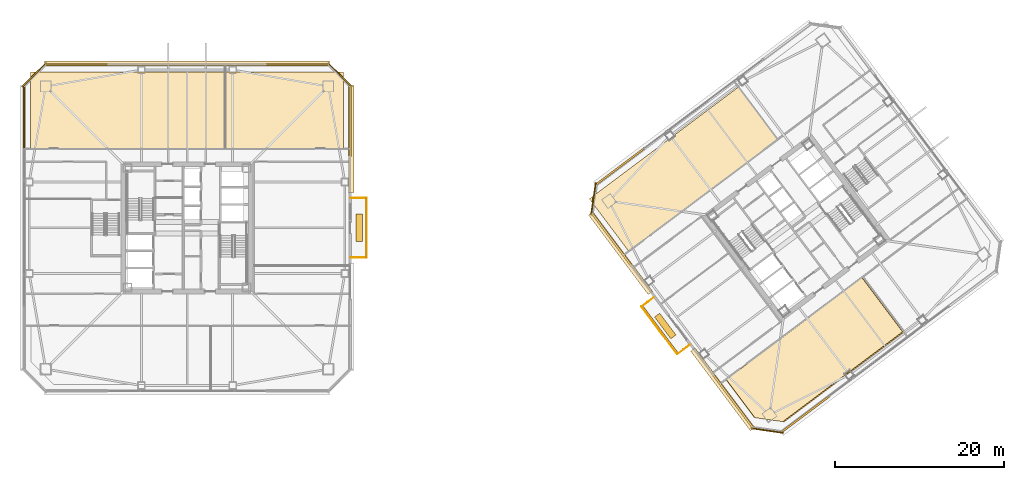
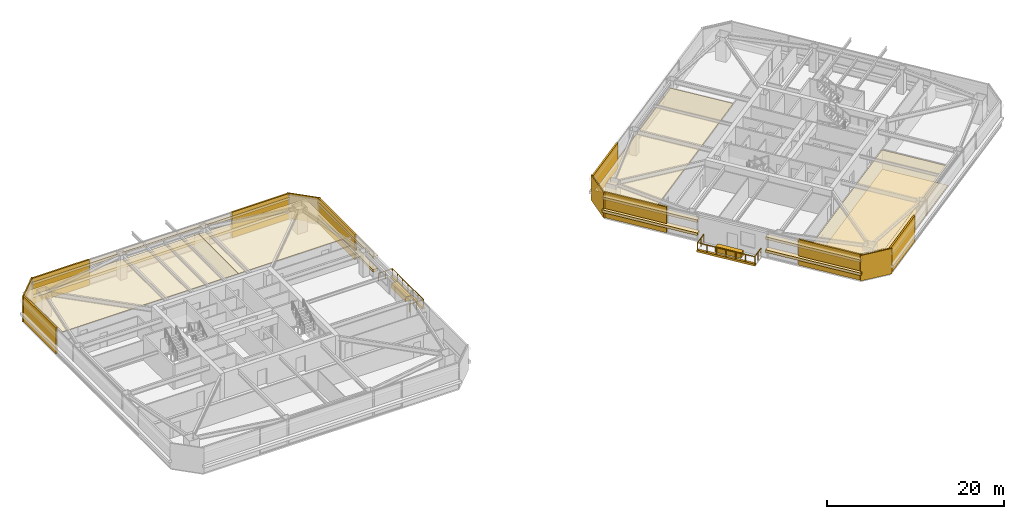
# One storey, part 37 of 40: 29 coverings, 6 railings.
"""IFC4 building model written with IfcOpenShell, lengths in metres."""

from ifc_helpers import new_model, si_unit, direction, frame, origin, origin_2d, place, context, subcontext, project, spatial, polyline, rectangle, outline, extrude, material, layer, layer_set, type_object, element, save


model = new_model("IFC4")

# Units and contexts
model_context = context("Model", 3, precision=1e-05, world=origin(), true_north=direction((0.0, 1.0)))
body_context = subcontext(model_context, "Body", "Model", "MODEL_VIEW")
ifc_project = project(units=[si_unit("LENGTHUNIT", "METRE"), si_unit("AREAUNIT", "SQUARE_METRE"), si_unit("VOLUMEUNIT", "CUBIC_METRE"), si_unit("PLANEANGLEUNIT", "RADIAN"), si_unit("MASSUNIT", "GRAM", prefix="KILO")], contexts=[model_context])

# Site, building, storey
site_placement = place(None, origin())
site = spatial("IfcSite", under=ifc_project, at=site_placement, CompositionType="ELEMENT")
building_placement = place(site_placement, origin())
building = spatial("IfcBuilding", under=site, at=building_placement, Name="Tashvorn Skyway Center", CompositionType="ELEMENT")
storey_placement = place(building_placement, frame((0.0, 0.0, 142.800048828125)))
storey = spatial("IfcBuildingStorey", under=building, at=storey_placement, Name="L38", CompositionType="ELEMENT", Elevation=142.800048828125)

# Coverings
ifc_material_1 = material(Name="Precast concrete C40/50", Category="concrete")
ifc_layer_1 = layer(ifc_material_1, 0.199951171875)
ifc_layer_set_1 = layer_set([ifc_layer_1], Name="Precast concrete C40/50")
covering_type_1 = type_object("IfcCoveringType", Name="COV-BRACE-CLAD", PredefinedType="CLADDING", material=ifc_layer_set_1)
for number, where, z_axis, x_axis, name in (
    (1, (22.719970703125, 45.051025390625, 0.0), (0.0, 0.0, 1.0), (0.0, 1.0, 0.0), "Tower 1 L38 West Unitised Curtain Wall Mega-Brace Cladding Band 2"),
    (2, (28.948974609375, 51.280029296875, 0.0), (0.0, 0.0, 1.0), (1.0, 0.0, 0.0), "Tower 1 L38 North Unitised Curtain Wall Mega-Brace Cladding Band 1"),
    (3, (55.051025390625, 51.280029296875, 0.0), (0.0, 0.0, 1.0), (1.0, 0.0, 0.0), "Tower 1 L38 North Unitised Curtain Wall Mega-Brace Cladding Band 2"),
):
    element("IfcCovering", number, at=place(storey_placement, frame(where, z_axis=z_axis, x_axis=x_axis)), inside=storey, type_object=covering_type_1, Name=name, PredefinedType="CLADDING", context=body_context, shape_type="SweptSolid", body=[
        extrude(rectangle(XDim=7.457763671875, YDim=0.199951171875, at=origin_2d()), origin(), (0.0, 0.0, 1.0), 3.550048828125),
    ])
covering_1_placement = place(storey_placement, frame((61.280029296875, 44.603271484375, 0.0), z_axis=(0.0, 0.0, 1.0), x_axis=(0.0, -1.0, 0.0)))
element("IfcCovering", 4, at=covering_1_placement, inside=storey, type_object=covering_type_1, Name="Tower 1 L38 East Curtain Wall L Mega-Brace Cladding Band 1", PredefinedType="CLADDING", context=body_context, shape_type="SweptSolid", body=[
    extrude(rectangle(XDim=8.353271484375, YDim=0.199951171875, at=origin_2d()), origin(), (0.0, 0.0, 1.0), 3.550048828125),
])
covering_2_placement = place(storey_placement, frame((115.087158203125, 9.96533203125, 0.0), z_axis=(0.0, 0.0, 1.0), x_axis=(-0.799999996291, -0.600000004945, 0.0)))
element("IfcCovering", 5, at=covering_2_placement, inside=storey, type_object=covering_type_1, Name="Tower 2 L38 South Unitised Curtain Wall Mega-Brace Cladding Band 2", PredefinedType="CLADDING", context=body_context, shape_type="SweptSolid", body=[
    extrude(rectangle(XDim=7.057861328125, YDim=0.199951171875, at=origin_2d()), origin(), (0.0, 0.0, 1.0), 3.550048828125),
])
for number, where, z_axis, x_axis, name in (
    (6, (106.577880859375, 11.429443359375, 0.0), (0.0, 0.0, 1.0), (-0.600000004945, 0.799999996291, 0.0), "Tower 2 L38 West Curtain Wall L Mega-Brace Cladding Band 1"),
    (7, (92.174072265625, 30.634765625, 0.0), (0.0, 0.0, 1.0), (-0.600000004945, 0.799999996291, 0.0), "Tower 2 L38 West Curtain Wall R Mega-Brace Cladding Band 1"),
):
    element("IfcCovering", number, at=place(storey_placement, frame(where, z_axis=z_axis, x_axis=x_axis)), inside=storey, type_object=covering_type_1, Name=name, PredefinedType="CLADDING", context=body_context, shape_type="SweptSolid", body=[
        extrude(rectangle(XDim=7.75341796875, YDim=0.199951171875, at=origin_2d()), origin(), (0.0, 0.0, 1.0), 3.550048828125),
    ])
covering_3_placement = place(storey_placement, frame((93.151123046875, 39.21337890625, 0.0), z_axis=(0.0, 0.0, 1.0), x_axis=(0.799999996291, 0.600000004945, 0.0)))
element("IfcCovering", 8, at=covering_3_placement, inside=storey, type_object=covering_type_1, Name="Tower 2 L38 North Unitised Curtain Wall Mega-Brace Cladding Band 1", PredefinedType="CLADDING", context=body_context, shape_type="SweptSolid", body=[
    extrude(rectangle(XDim=7.057861328125, YDim=0.199951171875, at=origin_2d()), origin(), (0.0, 0.0, 1.0), 3.550048828125),
])
ifc_material_2 = material(Name="Mineral-fibre acoustic ceiling tile on suspended grid")
ifc_layer_2 = layer(ifc_material_2, 0.02001953125)
ifc_layer_set_2 = layer_set([ifc_layer_2], Name="Mineral-fibre acoustic ceiling tile on suspended grid")
covering_type_2 = type_object("IfcCoveringType", Name="COV-CEIL-20", PredefinedType="CEILING", material=ifc_layer_set_2)
covering_4_placement = place(storey_placement, frame((0.0, 0.0, 2.702880859375)))
element("IfcCovering", 9, at=covering_4_placement, inside=storey, type_object=covering_type_2, Name="Tower 1 L38 Wellness Clinic Acoustic Ceiling", PredefinedType="CEILING", context=body_context, shape_type="SweptSolid", body=[
    extrude(outline(polyline([(23.5, 41.35009765625), (46.5, 41.35009765625), (46.5, 50.39990234375), (23.5, 50.39990234375), (23.5, 41.35009765625)])), origin(), (0.0, 0.0, 1.0), 0.02001953125),
])
covering_5_placement = place(storey_placement, frame((0.0, 0.0, 2.702880859375)))
element("IfcCovering", 10, at=covering_5_placement, inside=storey, type_object=covering_type_2, Name="Tower 1 L38 Wellness Clinic Acoustic Ceiling", PredefinedType="CEILING", context=body_context, shape_type="SweptSolid", body=[
    extrude(outline(polyline([(46.5, 41.35009765625), (60.5, 41.35009765625), (60.5, 50.39990234375), (46.5, 50.39990234375), (46.5, 41.35009765625)])), origin(), (0.0, 0.0, 1.0), 0.02001953125),
])
covering_6_placement = place(storey_placement, frame((0.0, 0.0, 2.702880859375)))
element("IfcCovering", 11, at=covering_6_placement, inside=storey, type_object=covering_type_2, Name="Tower 2 L38 Wellness Clinic Acoustic Ceiling", PredefinedType="CEILING", context=body_context, shape_type="SweptSolid", body=[
    extrude(outline(polyline([(94.197998046875, 29.236083984375), (111.798095703125, 42.43603515625), (107.159912109375, 48.6201171875), (89.56005859375, 35.419921875), (94.197998046875, 29.236083984375)])), origin(), (0.0, 0.0, 1.0), 0.02001953125),
])
covering_7_placement = place(storey_placement, frame((0.0, 0.0, 2.702880859375)))
element("IfcCovering", 12, at=covering_7_placement, inside=storey, type_object=covering_type_2, Name="Tower 2 L38 Wellness Clinic Acoustic Ceiling", PredefinedType="CEILING", context=body_context, shape_type="SweptSolid", body=[
    extrude(outline(polyline([(105.72998046875, 14.06005859375), (121.778076171875, 26.095947265625), (126.572021484375, 19.7041015625), (112.412109375, 9.083984375), (109.10791015625, 9.555908203125), (105.72998046875, 14.06005859375)])), origin(), (0.0, 0.0, 1.0), 0.02001953125),
])
ifc_material_3 = material(Name="Polished Mojave desert-aggregate terrazzo and cover plate")
ifc_layer_3 = layer(ifc_material_3, 0.0400390625)
ifc_layer_set_3 = layer_set([ifc_layer_3], Name="Polished Mojave desert-aggregate terrazzo and cover plate")
covering_type_3 = type_object("IfcCoveringType", Name="COV-FLR-40", PredefinedType="FLOORING", material=ifc_layer_set_3)
covering_8_placement = place(storey_placement, origin())
element("IfcCovering", 13, at=covering_8_placement, inside=storey, type_object=covering_type_3, Name="Tower 2 L38 Wellness Clinic Finish Flooring", PredefinedType="FLOORING", context=body_context, shape_type="SweptSolid", body=[
    extrude(outline(polyline([(112.580078125, 9.06005859375), (109.052001953125, 9.56396484375), (105.721923828125, 14.00390625), (121.833984375, 26.087890625), (126.676025390625, 19.632080078125), (112.580078125, 9.06005859375)])), origin(), (0.0, 0.0, 1.0), 0.0400390625),
])
ifc_material_4 = material(Name="Perforated ceramic-coated bronze aluminium solar screen", Category="aluminium")
ifc_layer_4 = layer(ifc_material_4, 0.85009765625)
ifc_layer_set_4 = layer_set([ifc_layer_4], Name="Perforated ceramic-coated bronze aluminium solar screen")
covering_type_4 = type_object("IfcCoveringType", Name="COV-SOLAR-BAND", PredefinedType="CLADDING", material=ifc_layer_set_4)
for number, where, z_axis, x_axis, name in (
    (14, (42.0, 51.419921875, 0.919921875), (0.0, 0.0, 1.0), (1.0, 0.0, 0.0), "L38 Perforated Ceramic-Metal Solar Screen Louvre Band North 1"),
    (15, (42.0, 51.419921875, 2.7197265625), (0.0, 0.0, 1.0), (1.0, 0.0, 0.0), "L38 Perforated Ceramic-Metal Solar Screen Louvre Band North 2"),
):
    element("IfcCovering", number, at=place(storey_placement, frame(where, z_axis=z_axis, x_axis=x_axis)), inside=storey, type_object=covering_type_4, Name=name, PredefinedType="CLADDING", context=body_context, shape_type="SweptSolid", body=[
        extrude(rectangle(XDim=33.679931640625, YDim=0.639892578125, at=origin_2d()), origin(), (0.0, 0.0, 1.0), 0.360107421875),
    ])
for number, where, z_axis, x_axis, name in (
    (16, (61.419921875, 42.514892578125, 0.919921875), (0.0, 0.0, 1.0), (0.0, -1.0, 0.0), "L38 Perforated Ceramic-Metal Solar Screen Louvre Band East 1"),
    (17, (61.419921875, 42.514892578125, 2.7197265625), (0.0, 0.0, 1.0), (0.0, -1.0, 0.0), "L38 Perforated Ceramic-Metal Solar Screen Louvre Band East 2"),
):
    element("IfcCovering", number, at=place(storey_placement, frame(where, z_axis=z_axis, x_axis=x_axis)), inside=storey, type_object=covering_type_4, Name=name, PredefinedType="CLADDING", context=body_context, shape_type="SweptSolid", body=[
        extrude(rectangle(XDim=12.64990234375, YDim=0.639892578125, at=origin_2d()), origin(), (0.0, 0.0, 1.0), 0.360107421875),
    ])
for number, where, z_axis, x_axis, name in (
    (18, (105.302978515625, 12.89599609375, 0.919921875), (0.0, 0.0, 1.0), (-0.600000004945, 0.799999996291, 0.0), "L38 Perforated Ceramic-Metal Solar Screen Louvre Band West 1"),
    (19, (105.302978515625, 12.89599609375, 2.7197265625), (0.0, 0.0, 1.0), (-0.600000004945, 0.799999996291, 0.0), "L38 Perforated Ceramic-Metal Solar Screen Louvre Band West 2"),
    (20, (93.22509765625, 29.0, 0.919921875), (0.0, 0.0, 1.0), (-0.600000004945, 0.799999996291, 0.0), "L38 Perforated Ceramic-Metal Solar Screen Louvre Band West 1"),
    (21, (93.22509765625, 29.0, 2.7197265625), (0.0, 0.0, 1.0), (-0.600000004945, 0.799999996291, 0.0), "L38 Perforated Ceramic-Metal Solar Screen Louvre Band West 2"),
):
    element("IfcCovering", number, at=place(storey_placement, frame(where, z_axis=z_axis, x_axis=x_axis)), inside=storey, type_object=covering_type_4, Name=name, PredefinedType="CLADDING", context=body_context, shape_type="SweptSolid", body=[
        extrude(rectangle(XDim=11.75, YDim=0.639892578125, at=origin_2d()), origin(), (0.0, 0.0, 1.0), 0.360107421875),
    ])
ifc_layer_5 = layer(ifc_material_1, 0.35009765625)
ifc_layer_set_5 = layer_set([ifc_layer_5], Name="Precast concrete C40/50")
covering_type_5 = type_object("IfcCoveringType", Name="COV-STONE-TRIM", PredefinedType="CLADDING", material=ifc_layer_set_5)
covering_9_placement = place(storey_placement, frame((63.159912109375, 32.0, -0.16015625), z_axis=(0.0, 0.0, 1.0), x_axis=(0.0, -1.0, 0.0)))
element("IfcCovering", 22, at=covering_9_placement, inside=storey, type_object=covering_type_5, Name="Tower 1 L38 Spiral Terrace Terracotta Fascia", PredefinedType="CLADDING", context=body_context, shape_type="SweptSolid", body=[
    extrude(rectangle(XDim=7.199951171875, YDim=0.280029296875, at=origin_2d()), origin(), (0.0, 0.0, 1.0), 0.280029296875),
])
covering_10_placement = place(storey_placement, frame((62.35009765625, 32.0, 0.0), z_axis=(0.0, 0.0, 1.0), x_axis=(0.0, -1.0, 0.0)))
element("IfcCovering", 23, at=covering_10_placement, inside=storey, type_object=covering_type_5, Name="Tower 1 L38 Spiral Terrace Planter", PredefinedType="CLADDING", context=body_context, shape_type="SweptSolid", body=[
    extrude(rectangle(XDim=3.199951171875, YDim=0.75, at=origin_2d()), origin(), (0.0, 0.0, 1.0), 0.679931640625),
])
for number, where, z_axis, x_axis, name in (
    (24, (23.929931640625, 50.070068359375, 0.02001953125), (0.0, 0.0, 1.0), (-0.707106781187, -0.707106781187, 0.0), "Tower 1 L38 NW Mojave Limestone Corner Quoin"),
    (25, (60.070068359375, 50.070068359375, 0.02001953125), (0.0, 0.0, 1.0), (0.707106781187, -0.707106781187, 0.0), "Tower 1 L38 NE Mojave Limestone Corner Quoin"),
):
    element("IfcCovering", number, at=place(storey_placement, frame(where, z_axis=z_axis, x_axis=x_axis)), inside=storey, type_object=covering_type_5, Name=name, PredefinedType="CLADDING", context=body_context, shape_type="SweptSolid", body=[
        extrude(rectangle(XDim=3.978515625, YDim=0.139892578125, at=origin_2d()), origin(), (0.0, 0.0, 1.0), 3.510009765625),
    ])
covering_11_placement = place(storey_placement, frame((97.8720703125, 19.904052734375, -0.16015625), z_axis=(0.0, 0.0, 1.0), x_axis=(-0.600000004945, 0.799999996291, 0.0)))
element("IfcCovering", 26, at=covering_11_placement, inside=storey, type_object=covering_type_5, Name="Tower 2 L38 Spiral Terrace Terracotta Fascia", PredefinedType="CLADDING", context=body_context, shape_type="SweptSolid", body=[
    extrude(rectangle(XDim=7.199951171875, YDim=0.280029296875, at=origin_2d()), origin(), (0.0, 0.0, 1.0), 0.280029296875),
])
covering_12_placement = place(storey_placement, frame((98.52001953125, 20.389892578125, 0.0), z_axis=(0.0, 0.0, 1.0), x_axis=(-0.600000004945, 0.799999996291, 0.0)))
element("IfcCovering", 27, at=covering_12_placement, inside=storey, type_object=covering_type_5, Name="Tower 2 L38 Spiral Terrace Planter", PredefinedType="CLADDING", context=body_context, shape_type="SweptSolid", body=[
    extrude(rectangle(XDim=3.199951171875, YDim=0.75, at=origin_2d()), origin(), (0.0, 0.0, 1.0), 0.679931640625),
])
for number, where, z_axis, x_axis, name in (
    (28, (110.575927734375, 8.031982421875, 0.02001953125), (0.0, 0.0, 1.0), (-0.989949494535, 0.141421350118, 0.0), "Tower 2 L38 SW Mojave Limestone Corner Quoin"),
    (29, (90.031982421875, 35.424072265625, 0.02001953125), (0.0, 0.0, 1.0), (-0.141421350118, -0.989949494535, 0.0), "Tower 2 L38 NW Mojave Limestone Corner Quoin"),
):
    element("IfcCovering", number, at=place(storey_placement, frame(where, z_axis=z_axis, x_axis=x_axis)), inside=storey, type_object=covering_type_5, Name=name, PredefinedType="CLADDING", context=body_context, shape_type="SweptSolid", body=[
        extrude(rectangle(XDim=3.8369140625, YDim=0.139892578125, at=origin_2d()), origin(), (0.0, 0.0, 1.0), 3.510009765625),
    ])

# Railings
ifc_material_5 = material(Name="Galvanized steel S355", Category="steel")
railing_type = type_object("IfcRailingType", Name="RAIL-GUARD-1120", PredefinedType="GUARDRAIL", material=ifc_material_5)
railing_1_placement = place(storey_placement, frame((61.39990234375, 28.47998046875, 0.0)))
element("IfcRailing", 30, at=railing_1_placement, inside=storey, type_object=railing_type, Name="L38 Tower 1 Terrace Guardrail 01", PredefinedType="GUARDRAIL", context=body_context, shape_type="SweptSolid", body=[
    extrude(rectangle(XDim=0.048095703125, YDim=0.048095703125, at=origin_2d()), frame((0.0, 0.0, 1.09619140625), z_axis=(1.0, 0.0, 0.0), x_axis=(0.0, 1.0, 0.0)), (0.0, 0.0, 1.0), 1.820068359375),
    extrude(rectangle(XDim=0.0419921875, YDim=0.0419921875, at=origin_2d()), origin(), (0.0, 0.0, 1.0), 1.072021484375),
    extrude(rectangle(XDim=0.0419921875, YDim=0.0419921875, at=origin_2d()), frame((0.91015625, 0.0, 0.0)), (0.0, 0.0, 1.0), 1.072021484375),
    extrude(rectangle(XDim=0.0419921875, YDim=0.0419921875, at=origin_2d()), frame((1.820068359375, 0.0, 0.0)), (0.0, 0.0, 1.0), 1.072021484375),
])
railing_2_placement = place(storey_placement, frame((63.219970703125, 28.47998046875, 0.0)))
element("IfcRailing", 31, at=railing_2_placement, inside=storey, type_object=railing_type, Name="L38 Tower 1 Terrace Guardrail 02", PredefinedType="GUARDRAIL", context=body_context, shape_type="SweptSolid", body=[
    extrude(rectangle(XDim=0.048095703125, YDim=0.048095703125, at=origin_2d()), frame((0.0, 0.0, 1.09619140625), z_axis=(0.0, 1.0, 0.0), x_axis=(-1.0, 0.0, 0.0)), (0.0, 0.0, 1.0), 7.0400390625),
    extrude(rectangle(XDim=0.0419921875, YDim=0.0419921875, at=origin_2d()), origin(), (0.0, 0.0, 1.0), 1.072021484375),
    extrude(rectangle(XDim=0.0419921875, YDim=0.0419921875, at=origin_2d()), frame((0.0, 1.17333984375, 0.0)), (0.0, 0.0, 1.0), 1.072021484375),
    extrude(rectangle(XDim=0.0419921875, YDim=0.0419921875, at=origin_2d()), frame((0.0, 2.3466796875, 0.0)), (0.0, 0.0, 1.0), 1.072021484375),
    extrude(rectangle(XDim=0.0419921875, YDim=0.0419921875, at=origin_2d()), frame((0.0, 3.52001953125, 0.0)), (0.0, 0.0, 1.0), 1.072021484375),
    extrude(rectangle(XDim=0.0419921875, YDim=0.0419921875, at=origin_2d()), frame((0.0, 4.693359375, 0.0)), (0.0, 0.0, 1.0), 1.072021484375),
    extrude(rectangle(XDim=0.0419921875, YDim=0.0419921875, at=origin_2d()), frame((0.0, 5.86669921875, 0.0)), (0.0, 0.0, 1.0), 1.072021484375),
    extrude(rectangle(XDim=0.0419921875, YDim=0.0419921875, at=origin_2d()), frame((0.0, 7.0400390625, 0.0)), (0.0, 0.0, 1.0), 1.072021484375),
])
railing_3_placement = place(storey_placement, frame((63.219970703125, 35.52001953125, 0.0)))
element("IfcRailing", 32, at=railing_3_placement, inside=storey, type_object=railing_type, Name="L38 Tower 1 Terrace Guardrail 03", PredefinedType="GUARDRAIL", context=body_context, shape_type="SweptSolid", body=[
    extrude(rectangle(XDim=0.048095703125, YDim=0.048095703125, at=origin_2d()), frame((0.0, 0.0, 1.09619140625), z_axis=(-1.0, 0.0, 0.0), x_axis=(0.0, -1.0, 0.0)), (0.0, 0.0, 1.0), 1.820068359375),
    extrude(rectangle(XDim=0.0419921875, YDim=0.0419921875, at=origin_2d()), origin(), (0.0, 0.0, 1.0), 1.072021484375),
    extrude(rectangle(XDim=0.0419921875, YDim=0.0419921875, at=origin_2d()), frame((-0.91015625, 0.0, 0.0)), (0.0, 0.0, 1.0), 1.072021484375),
    extrude(rectangle(XDim=0.0419921875, YDim=0.0419921875, at=origin_2d()), frame((-1.820068359375, 0.0, 0.0)), (0.0, 0.0, 1.0), 1.072021484375),
])
railing_4_placement = place(storey_placement, frame((101.39208984375, 18.14404296875, 0.0)))
element("IfcRailing", 33, at=railing_4_placement, inside=storey, type_object=railing_type, Name="L38 Tower 2 Terrace Guardrail 01", PredefinedType="GUARDRAIL", context=body_context, shape_type="SweptSolid", body=[
    extrude(rectangle(XDim=0.048095703125, YDim=0.048095703125, at=origin_2d()), frame((0.0, 0.0, 1.09619140625), z_axis=(-0.8, -0.6, 0.0), x_axis=(0.6, -0.8, 0.0)), (0.0, 0.0, 1.0), 1.820068359375),
    extrude(rectangle(XDim=0.0419921875, YDim=0.0419921875, at=origin_2d()), origin(), (0.0, 0.0, 1.0), 1.072021484375),
    extrude(rectangle(XDim=0.0419921875, YDim=0.0419921875, at=origin_2d()), frame((-0.72802734375, -0.5458984375, 0.0)), (0.0, 0.0, 1.0), 1.072021484375),
    extrude(rectangle(XDim=0.0419921875, YDim=0.0419921875, at=origin_2d()), frame((-1.4560546875, -1.092041015625, 0.0)), (0.0, 0.0, 1.0), 1.072021484375),
])
railing_5_placement = place(storey_placement, frame((99.93603515625, 17.052001953125, 0.0)))
element("IfcRailing", 34, at=railing_5_placement, inside=storey, type_object=railing_type, Name="L38 Tower 2 Terrace Guardrail 02", PredefinedType="GUARDRAIL", context=body_context, shape_type="SweptSolid", body=[
    extrude(rectangle(XDim=0.048095703125, YDim=0.048095703125, at=origin_2d()), frame((0.0, 0.0, 1.09619140625), z_axis=(-0.600005548528, 0.799995838574, 0.0), x_axis=(-0.799995838574, -0.600005548528, 0.0)), (0.0, 0.0, 1.0), 7.0400390625),
    extrude(rectangle(XDim=0.0419921875, YDim=0.0419921875, at=origin_2d()), origin(), (0.0, 0.0, 1.0), 1.072021484375),
    extrude(rectangle(XDim=0.0419921875, YDim=0.0419921875, at=origin_2d()), frame((-0.7041015625, 0.938720703125, 0.0)), (0.0, 0.0, 1.0), 1.072021484375),
    extrude(rectangle(XDim=0.0419921875, YDim=0.0419921875, at=origin_2d()), frame((-1.407958984375, 1.87744140625, 0.0)), (0.0, 0.0, 1.0), 1.072021484375),
    extrude(rectangle(XDim=0.0419921875, YDim=0.0419921875, at=origin_2d()), frame((-2.112060546875, 2.81591796875, 0.0)), (0.0, 0.0, 1.0), 1.072021484375),
    extrude(rectangle(XDim=0.0419921875, YDim=0.0419921875, at=origin_2d()), frame((-2.816162109375, 3.754638671875, 0.0)), (0.0, 0.0, 1.0), 1.072021484375),
    extrude(rectangle(XDim=0.0419921875, YDim=0.0419921875, at=origin_2d()), frame((-3.52001953125, 4.693359375, 0.0)), (0.0, 0.0, 1.0), 1.072021484375),
    extrude(rectangle(XDim=0.0419921875, YDim=0.0419921875, at=origin_2d()), frame((-4.22412109375, 5.632080078125, 0.0)), (0.0, 0.0, 1.0), 1.072021484375),
])
railing_6_placement = place(storey_placement, frame((95.7119140625, 22.68408203125, 0.0)))
element("IfcRailing", 35, at=railing_6_placement, inside=storey, type_object=railing_type, Name="L38 Tower 2 Terrace Guardrail 03", PredefinedType="GUARDRAIL", context=body_context, shape_type="SweptSolid", body=[
    extrude(rectangle(XDim=0.048095703125, YDim=0.048095703125, at=origin_2d()), frame((0.0, 0.0, 1.09619140625), z_axis=(0.800064386893, 0.599914141212, 0.0), x_axis=(-0.599914141212, 0.800064386893, 0.0)), (0.0, 0.0, 1.0), 1.81982421875),
    extrude(rectangle(XDim=0.0419921875, YDim=0.0419921875, at=origin_2d()), origin(), (0.0, 0.0, 1.0), 1.072021484375),
    extrude(rectangle(XDim=0.0419921875, YDim=0.0419921875, at=origin_2d()), frame((0.72802734375, 0.5458984375, 0.0)), (0.0, 0.0, 1.0), 1.072021484375),
    extrude(rectangle(XDim=0.0419921875, YDim=0.0419921875, at=origin_2d()), frame((1.4560546875, 1.091796875, 0.0)), (0.0, 0.0, 1.0), 1.072021484375),
])

save(model, "model.ifc")
